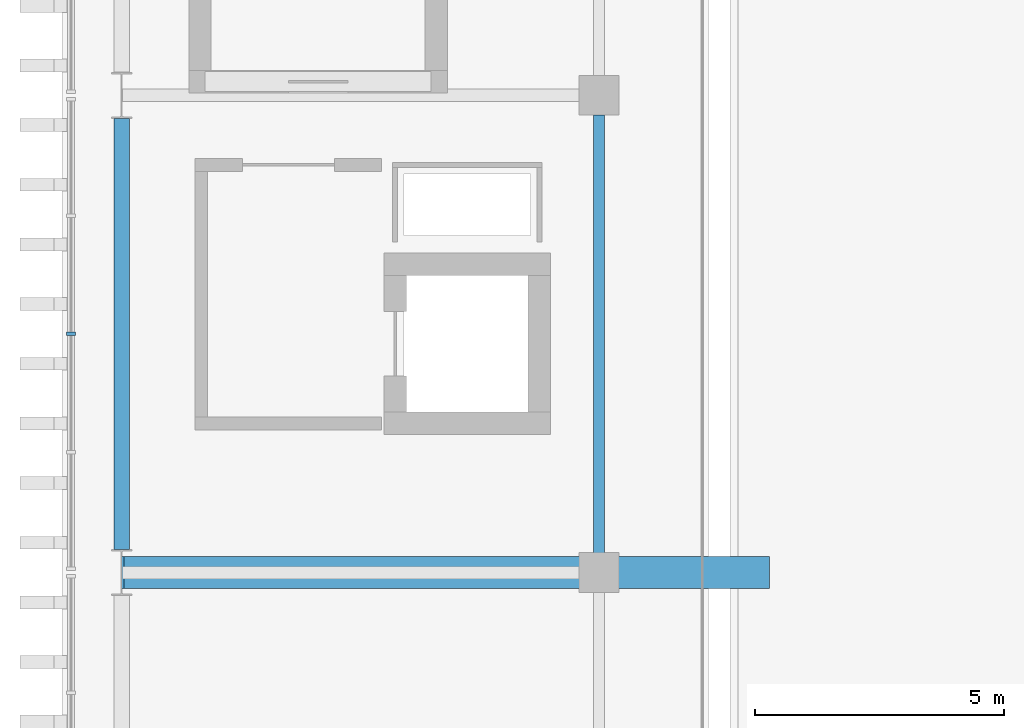
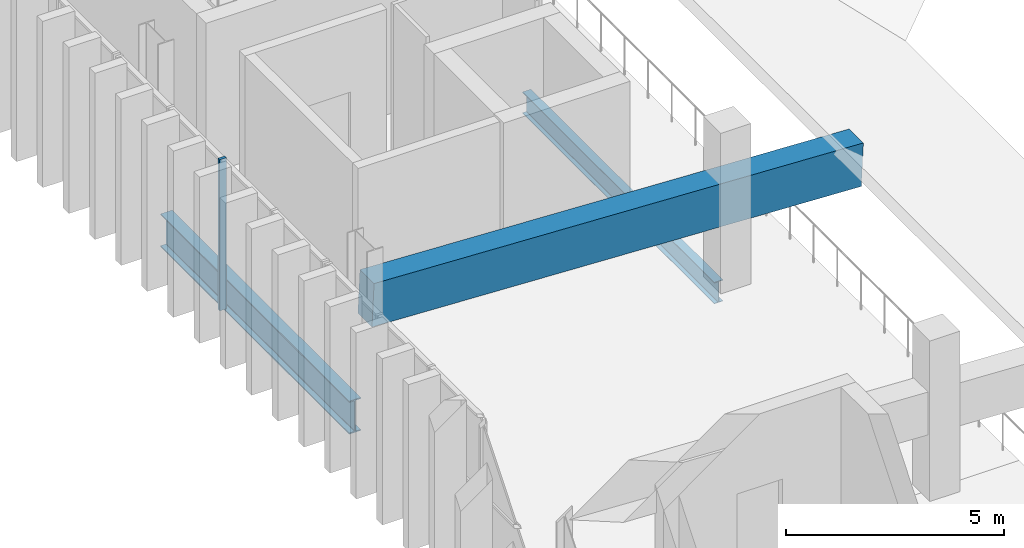
# One storey, part 18 of 69: 3 beams, 1 member, 1 element without a shape of its own.
"""IFC4 building model written with IfcOpenShell, lengths in metres."""

from ifc_helpers import new_model, si_unit, direction, frame, origin, origin_2d, place, context, subcontext, project, spatial, rectangle, i_section, extrude, material, layer, layer_set, material_profile, profile_set, type_object, element, aggregate, save


model = new_model("IFC4")

# Units and contexts
model_context = context("Model", 3, precision=1e-05, world=origin(), true_north=direction((0.0, 1.0)))
body_context = subcontext(model_context, "Body", "Model", "MODEL_VIEW")
ifc_project = project(units=[si_unit("LENGTHUNIT", "METRE"), si_unit("AREAUNIT", "SQUARE_METRE"), si_unit("VOLUMEUNIT", "CUBIC_METRE"), si_unit("PLANEANGLEUNIT", "RADIAN"), si_unit("MASSUNIT", "GRAM", prefix="KILO")], contexts=[model_context])

# Site, building, storey
site_placement = place(None, origin())
site = spatial("IfcSite", under=ifc_project, at=site_placement, CompositionType="ELEMENT")
building_placement = place(site_placement, origin())
building = spatial("IfcBuilding", under=site, at=building_placement, Name="Caelomonte Colonnade Arena", CompositionType="ELEMENT")
storey_placement = place(building_placement, frame((0.0, 0.0, 18.60009765625)))
storey = spatial("IfcBuildingStorey", under=building, at=storey_placement, Name="L04", CompositionType="ELEMENT", Elevation=18.60009765625)

# Curtain wall, member
ifc_material_1 = material(Name="Bronze anodised aluminium and low-E glazing", Category="aluminium")
ifc_layer = layer(ifc_material_1, 0.179931640625)
ifc_layer_set = layer_set([ifc_layer], Name="Bronze anodised aluminium and low-E glazing")
curtain_wall_type = type_object("IfcCurtainWallType", Name="ENV-CW-CW-L04-96-42", PredefinedType="USERDEFINED", material=ifc_layer_set)
curtain_wall_placement = place(storey_placement, origin())
curtain_wall = element("IfcCurtainWall", 1, at=curtain_wall_placement, inside=storey, type_object=curtain_wall_type, Name="L04 unitized curtain wall CW-L04-0566-0816", ObjectType="UNITIZED CURTAIN WALL", PredefinedType="USERDEFINED")
ifc_material_2 = material(Name="Bronze anodised aluminium AA6063-T6", Category="aluminium")
ifc_material_profile_1 = material_profile(ifc_material_2, rectangle(XDim=0.070068359375, YDim=0.179931640625, at=origin_2d()), Name="CWM-70X180")
ifc_profile_set_1 = profile_set([ifc_material_profile_1], Name="Bronze anodised aluminium AA6063-T6")
member_type = type_object("IfcMemberType", Name="ENV-CW-MULL1", PredefinedType="MULLION", material=ifc_profile_set_1)
member_placement = place(storey_placement, frame((56.580078125, 81.60009765625, 0.0), z_axis=(0.0, 0.0, 1.0), x_axis=(0.0, -1.0, 0.0)))
member = element("IfcMember", 2, at=member_placement, type_object=member_type, Name="CW-L04-96-42 mullion 3", PredefinedType="MULLION", context=body_context, shape_type="SweptSolid", body=[
    extrude(rectangle(XDim=0.070068359375, YDim=0.179931640625, at=origin_2d()), origin(), (0.0, 0.0, 1.0), 4.239990234375),
])
aggregate(curtain_wall, [member])

# Beams
ifc_material_3 = material(Name="Wide-flange steel ASTM A992 Grade 50", Category="steel")
ifc_material_profile_2 = material_profile(ifc_material_3, i_section(OverallWidth=0.307861328125, OverallDepth=0.927001953125, WebThickness=0.019287109375, FlangeThickness=0.031982421875, FilletRadius=0.020263671875, at=origin_2d()), Name="W36X194")
ifc_profile_set_2 = profile_set([ifc_material_profile_2], Name="Wide-flange steel ASTM A992 Grade 50")
beam_type_1 = type_object("IfcBeamType", Name="STR-BM-EAVES2", PredefinedType="SPANDREL", material=ifc_profile_set_2)
beam_1_placement = place(storey_placement, frame((57.60009765625, 77.265625, -0.7236328125), z_axis=(0.0, 1.0, 0.0), x_axis=(-1.0, 0.0, 0.0)))
element("IfcBeam", 3, at=beam_1_placement, inside=storey, type_object=beam_type_1, Name="L04 girder BMY-L04-0576-0768", PredefinedType="SPANDREL", context=body_context, shape_type="SweptSolid", body=[
    extrude(i_section(OverallWidth=0.307861328125, OverallDepth=0.927001953125, WebThickness=0.019287109375, FlangeThickness=0.031982421875, FilletRadius=0.020263671875, at=origin_2d()), origin(), (0.0, 0.0, 1.0), 8.668701171875),
])
ifc_material_profile_3 = material_profile(ifc_material_3, i_section(OverallWidth=0.227783203125, OverallDepth=0.60205078125, WebThickness=0.010498046875, FlangeThickness=0.014892578125, FilletRadius=0.0126953125, at=origin_2d()), Name="W24X68")
ifc_profile_set_3 = profile_set([ifc_material_profile_3], Name="Wide-flange steel ASTM A992 Grade 50")
beam_type_2 = type_object("IfcBeamType", Name="STR-BM-GIRD24B", PredefinedType="SPANDREL", material=ifc_profile_set_3)
beam_2_placement = place(storey_placement, frame((67.199951171875, 77.19189453125, -0.56103515625), z_axis=(0.0, 1.0, 0.0), x_axis=(-1.0, 0.0, 0.0)))
element("IfcBeam", 4, at=beam_2_placement, inside=storey, type_object=beam_type_2, Name="L04 girder BMY-L04-0672-0768", PredefinedType="SPANDREL", context=body_context, shape_type="SweptSolid", body=[
    extrude(i_section(OverallWidth=0.227783203125, OverallDepth=0.60205078125, WebThickness=0.010498046875, FlangeThickness=0.014892578125, FilletRadius=0.0126953125, at=origin_2d()), origin(), (0.0, 0.0, 1.0), 8.816162109375),
])
ifc_material_4 = material(Name="Concrete C50/60", Category="concrete")
ifc_material_profile_4 = material_profile(ifc_material_4, rectangle(XDim=0.64990234375, YDim=1.199951171875, at=origin_2d()), Name="RC650X1200")
ifc_profile_set_4 = profile_set([ifc_material_profile_4], Name="Concrete C50/60")
beam_type_3 = type_object("IfcBeamType", Name="STR-BM-RKU", PredefinedType="USERDEFINED", material=ifc_profile_set_4)
beam_3_placement = place(storey_placement, frame((57.6201171875, 76.800048828125, 2.849853515625), z_axis=(0.998933852291, 0.0, -0.046164474948), x_axis=(0.0, 1.0, 0.0)))
element("IfcBeam", 5, at=beam_3_placement, inside=storey, type_object=beam_type_3, Name="Upper bowl cantilevered raker girder W-76", ObjectType="RAKER", PredefinedType="USERDEFINED", context=body_context, shape_type="SweptSolid", body=[
    extrude(rectangle(XDim=0.64990234375, YDim=1.199951171875, at=origin_2d()), origin(), (0.0, 0.0, 1.0), 12.993896484375),
])

save(model, "model.ifc")
